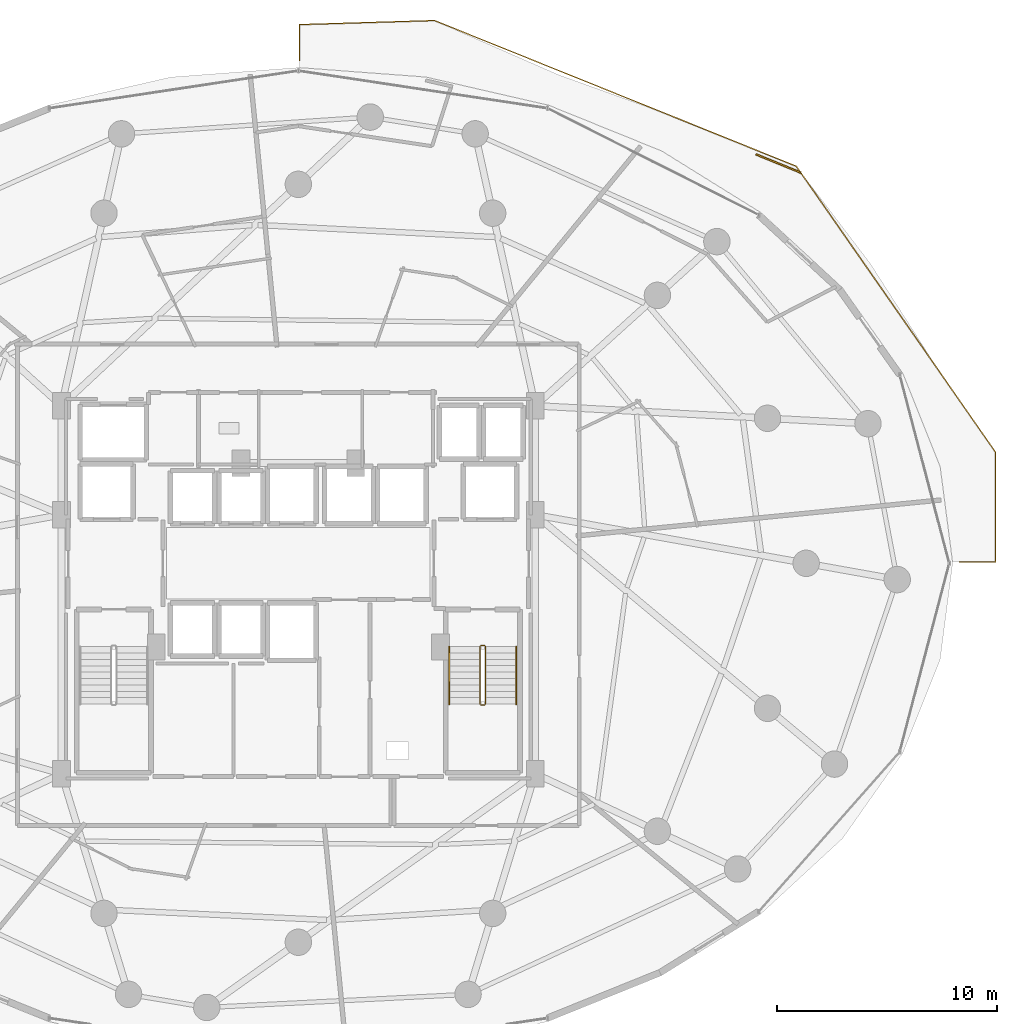
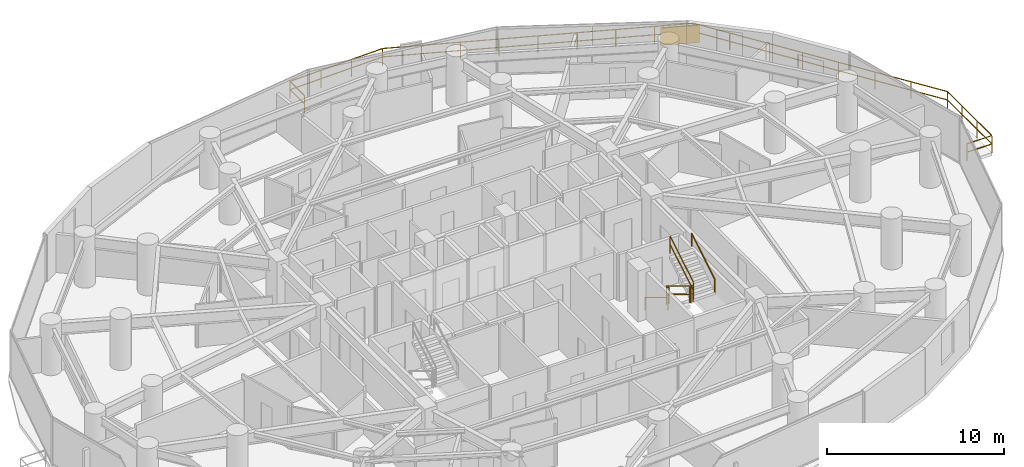
# One storey, part 29 of 30: 8 railings, 1 shading device.
"""IFC4 building model written with IfcOpenShell, lengths in metres."""

from ifc_helpers import new_model, si_unit, direction, frame, origin, origin_2d, place, context, subcontext, project, spatial, rectangle, extrude, material, type_object, element, save


model = new_model("IFC4")

# Units and contexts
model_context = context("Model", 3, precision=1e-05, world=origin(), true_north=direction((0.0, 1.0)))
body_context = subcontext(model_context, "Body", "Model", "MODEL_VIEW")
ifc_project = project(units=[si_unit("LENGTHUNIT", "METRE"), si_unit("AREAUNIT", "SQUARE_METRE"), si_unit("VOLUMEUNIT", "CUBIC_METRE"), si_unit("PLANEANGLEUNIT", "RADIAN"), si_unit("MASSUNIT", "GRAM", prefix="KILO")], contexts=[model_context])

# Site, building, storey
site_placement = place(None, origin())
site = spatial("IfcSite", under=ifc_project, at=site_placement, CompositionType="ELEMENT")
building_placement = place(site_placement, origin())
building = spatial("IfcBuilding", under=site, at=building_placement, Name="Vorneva Point Tower", CompositionType="ELEMENT")
storey_placement = place(building_placement, frame((0.0, 0.0, 55.5)))
storey = spatial("IfcBuildingStorey", under=building, at=storey_placement, Name="L14", CompositionType="ELEMENT", Elevation=55.5)

# Railings
ifc_material_1 = material(Name="Pale anodised aluminium", Category="aluminium")
railing_type_1 = type_object("IfcRailingType", Name="RL-BAL-1200", PredefinedType="BALUSTRADE", material=ifc_material_1)
railing_1_placement = place(storey_placement, frame((38.050048828125, 50.451416015625, 0.0)))
element("IfcRailing", 1, at=railing_1_placement, inside=storey, type_object=railing_type_1, Name="L14 Wave Balcony Balustrade NE.1", PredefinedType="BALUSTRADE", context=body_context, shape_type="SweptSolid", body=[
    extrude(rectangle(XDim=0.048095703125, YDim=0.048095703125, at=origin_2d()), frame((0.0, 0.0, 1.17578125), z_axis=(0.0, -1.0, 0.0), x_axis=(1.0, 0.0, 0.0)), (0.0, 0.0, 1.0), 1.63427734375),
    extrude(rectangle(XDim=0.048095703125, YDim=0.048095703125, at=origin_2d()), frame((0.0, 0.0, 0.60009765625), z_axis=(0.0, -1.0, 0.0), x_axis=(1.0, 0.0, 0.0)), (0.0, 0.0, 1.0), 1.63427734375),
    extrude(rectangle(XDim=0.0419921875, YDim=0.0419921875, at=origin_2d()), origin(), (0.0, 0.0, 1.0), 1.15185546875),
    extrude(rectangle(XDim=0.0419921875, YDim=0.0419921875, at=origin_2d()), frame((0.0, -1.63427734375, 0.0)), (0.0, 0.0, 1.0), 1.15185546875),
])
railing_2_placement = place(storey_placement, frame((68.01611328125, 26.050048828125, 0.0)))
element("IfcRailing", 2, at=railing_2_placement, inside=storey, type_object=railing_type_1, Name="L14 Wave Balcony Balustrade NE.2", PredefinedType="BALUSTRADE", context=body_context, shape_type="SweptSolid", body=[
    extrude(rectangle(XDim=0.048095703125, YDim=0.048095703125, at=origin_2d()), frame((0.0, 0.0, 1.17578125), z_axis=(1.0, 0.0, 0.0), x_axis=(0.0, 1.0, 0.0)), (0.0, 0.0, 1.0), 1.6337890625),
    extrude(rectangle(XDim=0.048095703125, YDim=0.048095703125, at=origin_2d()), frame((0.0, 0.0, 0.60009765625), z_axis=(1.0, 0.0, 0.0), x_axis=(0.0, 1.0, 0.0)), (0.0, 0.0, 1.0), 1.6337890625),
    extrude(rectangle(XDim=0.048095703125, YDim=0.048095703125, at=origin_2d()), frame((1.6337890625, 0.0, 1.17578125), z_axis=(-0.001806990603, 0.999998367391, 0.0), x_axis=(-0.999998367391, -0.001806990603, 0.0)), (0.0, 0.0, 1.0), 4.9990234375),
    extrude(rectangle(XDim=0.048095703125, YDim=0.048095703125, at=origin_2d()), frame((1.6337890625, 0.0, 0.60009765625), z_axis=(-0.001806990603, 0.999998367391, 0.0), x_axis=(-0.999998367391, -0.001806990603, 0.0)), (0.0, 0.0, 1.0), 4.9990234375),
    extrude(rectangle(XDim=0.048095703125, YDim=0.048095703125, at=origin_2d()), frame((1.624755859375, 4.9990234375, 1.17578125), z_axis=(-0.57169314474, 0.8204675181, 0.0), x_axis=(-0.8204675181, -0.57169314474, 0.0)), (0.0, 0.0, 1.0), 15.81201171875),
    extrude(rectangle(XDim=0.048095703125, YDim=0.048095703125, at=origin_2d()), frame((1.624755859375, 4.9990234375, 0.60009765625), z_axis=(-0.57169314474, 0.8204675181, 0.0), x_axis=(-0.8204675181, -0.57169314474, 0.0)), (0.0, 0.0, 1.0), 15.81201171875),
    extrude(rectangle(XDim=0.048095703125, YDim=0.048095703125, at=origin_2d()), frame((-7.414794921875, 17.97216796875, 1.17578125), z_axis=(-0.927593308703, 0.373591559929, 0.0), x_axis=(-0.373591559929, -0.927593308703, 0.0)), (0.0, 0.0, 1.0), 17.701904296875),
    extrude(rectangle(XDim=0.048095703125, YDim=0.048095703125, at=origin_2d()), frame((-7.414794921875, 17.97216796875, 0.60009765625), z_axis=(-0.927593308703, 0.373591559929, 0.0), x_axis=(-0.373591559929, -0.927593308703, 0.0)), (0.0, 0.0, 1.0), 17.701904296875),
    extrude(rectangle(XDim=0.048095703125, YDim=0.048095703125, at=origin_2d()), frame((-23.8349609375, 24.58544921875, 1.17578125), z_axis=(-0.999549575505, -0.030010766533, 0.0), x_axis=(0.030010766533, -0.999549575505, 0.0)), (0.0, 0.0, 1.0), 6.1337890625),
    extrude(rectangle(XDim=0.048095703125, YDim=0.048095703125, at=origin_2d()), frame((-23.8349609375, 24.58544921875, 0.60009765625), z_axis=(-0.999549575505, -0.030010766533, 0.0), x_axis=(0.030010766533, -0.999549575505, 0.0)), (0.0, 0.0, 1.0), 6.1337890625),
    extrude(rectangle(XDim=0.0419921875, YDim=0.0419921875, at=origin_2d()), origin(), (0.0, 0.0, 1.0), 1.15185546875),
    extrude(rectangle(XDim=0.0419921875, YDim=0.0419921875, at=origin_2d()), frame((1.6337890625, 0.0, 0.0)), (0.0, 0.0, 1.0), 1.15185546875),
    extrude(rectangle(XDim=0.0419921875, YDim=0.0419921875, at=origin_2d()), frame((1.630859375, 1.666259765625, 0.0)), (0.0, 0.0, 1.0), 1.15185546875),
    extrude(rectangle(XDim=0.0419921875, YDim=0.0419921875, at=origin_2d()), frame((1.627685546875, 3.332763671875, 0.0)), (0.0, 0.0, 1.0), 1.15185546875),
    extrude(rectangle(XDim=0.0419921875, YDim=0.0419921875, at=origin_2d()), frame((1.624755859375, 4.9990234375, 0.0)), (0.0, 0.0, 1.0), 1.15185546875),
    extrude(rectangle(XDim=0.0419921875, YDim=0.0419921875, at=origin_2d()), frame((0.33349609375, 6.852294921875, 0.0)), (0.0, 0.0, 1.0), 1.15185546875),
    extrude(rectangle(XDim=0.0419921875, YDim=0.0419921875, at=origin_2d()), frame((-0.9580078125, 8.70556640625, 0.0)), (0.0, 0.0, 1.0), 1.15185546875),
    extrude(rectangle(XDim=0.0419921875, YDim=0.0419921875, at=origin_2d()), frame((-2.249267578125, 10.558837890625, 0.0)), (0.0, 0.0, 1.0), 1.15185546875),
    extrude(rectangle(XDim=0.0419921875, YDim=0.0419921875, at=origin_2d()), frame((-3.540771484375, 12.412353515625, 0.0)), (0.0, 0.0, 1.0), 1.15185546875),
    extrude(rectangle(XDim=0.0419921875, YDim=0.0419921875, at=origin_2d()), frame((-4.83203125, 14.265625, 0.0)), (0.0, 0.0, 1.0), 1.15185546875),
    extrude(rectangle(XDim=0.0419921875, YDim=0.0419921875, at=origin_2d()), frame((-6.12353515625, 16.118896484375, 0.0)), (0.0, 0.0, 1.0), 1.15185546875),
    extrude(rectangle(XDim=0.0419921875, YDim=0.0419921875, at=origin_2d()), frame((-7.414794921875, 17.97216796875, 0.0)), (0.0, 0.0, 1.0), 1.15185546875),
    extrude(rectangle(XDim=0.0419921875, YDim=0.0419921875, at=origin_2d()), frame((-9.46728515625, 18.798828125, 0.0)), (0.0, 0.0, 1.0), 1.15185546875),
    extrude(rectangle(XDim=0.0419921875, YDim=0.0419921875, at=origin_2d()), frame((-11.519775390625, 19.62548828125, 0.0)), (0.0, 0.0, 1.0), 1.15185546875),
    extrude(rectangle(XDim=0.0419921875, YDim=0.0419921875, at=origin_2d()), frame((-13.572265625, 20.4521484375, 0.0)), (0.0, 0.0, 1.0), 1.15185546875),
    extrude(rectangle(XDim=0.0419921875, YDim=0.0419921875, at=origin_2d()), frame((-15.625, 21.27880859375, 0.0)), (0.0, 0.0, 1.0), 1.15185546875),
    extrude(rectangle(XDim=0.0419921875, YDim=0.0419921875, at=origin_2d()), frame((-17.677490234375, 22.10546875, 0.0)), (0.0, 0.0, 1.0), 1.15185546875),
    extrude(rectangle(XDim=0.0419921875, YDim=0.0419921875, at=origin_2d()), frame((-19.72998046875, 22.93212890625, 0.0)), (0.0, 0.0, 1.0), 1.15185546875),
    extrude(rectangle(XDim=0.0419921875, YDim=0.0419921875, at=origin_2d()), frame((-21.782470703125, 23.7587890625, 0.0)), (0.0, 0.0, 1.0), 1.15185546875),
    extrude(rectangle(XDim=0.0419921875, YDim=0.0419921875, at=origin_2d()), frame((-23.8349609375, 24.58544921875, 0.0)), (0.0, 0.0, 1.0), 1.15185546875),
    extrude(rectangle(XDim=0.0419921875, YDim=0.0419921875, at=origin_2d()), frame((-25.878662109375, 24.524169921875, 0.0)), (0.0, 0.0, 1.0), 1.15185546875),
    extrude(rectangle(XDim=0.0419921875, YDim=0.0419921875, at=origin_2d()), frame((-27.92236328125, 24.462646484375, 0.0)), (0.0, 0.0, 1.0), 1.15185546875),
    extrude(rectangle(XDim=0.0419921875, YDim=0.0419921875, at=origin_2d()), frame((-29.966064453125, 24.4013671875, 0.0)), (0.0, 0.0, 1.0), 1.15185546875),
])
ifc_material_2 = material(Name="Brushed stainless steel S304", Category="steel")
railing_type_2 = type_object("IfcRailingType", Name="RL-HND-920", PredefinedType="HANDRAIL", material=ifc_material_2)
railing_3_placement = place(storey_placement, frame((44.85009765625, 22.219970703125, 0.175048828125)))
element("IfcRailing", 3, at=railing_3_placement, inside=storey, type_object=railing_type_2, Name="L14 ST2 stair handrail 1", PredefinedType="HANDRAIL", context=body_context, shape_type="SweptSolid", body=[
    extrude(rectangle(XDim=0.048095703125, YDim=0.048095703125, at=origin_2d()), frame((0.0, 0.0, 0.8759765625), z_axis=(0.0, -0.85618277418, 0.516673066065), x_axis=(1.0, 0.0, 0.0)), (0.0, 0.0, 1.0), 3.04833984375),
    extrude(rectangle(XDim=0.0419921875, YDim=0.0419921875, at=origin_2d()), origin(), (0.0, 0.0, 1.0), 0.851806640625),
    extrude(rectangle(XDim=0.0419921875, YDim=0.0419921875, at=origin_2d()), frame((0.0, -2.60986328125, 1.574951171875)), (0.0, 0.0, 1.0), 0.851806640625),
])
railing_4_placement = place(storey_placement, frame((47.89990234375, 19.610107421875, 1.925048828125)))
element("IfcRailing", 4, at=railing_4_placement, inside=storey, type_object=railing_type_2, Name="L14 ST2 stair handrail 2", PredefinedType="HANDRAIL", context=body_context, shape_type="SweptSolid", body=[
    extrude(rectangle(XDim=0.048095703125, YDim=0.048095703125, at=origin_2d()), frame((0.0, 0.0, 0.8759765625), z_axis=(0.0, 0.85618277418, 0.516673066065), x_axis=(-1.0, 0.0, 0.0)), (0.0, 0.0, 1.0), 3.04833984375),
    extrude(rectangle(XDim=0.0419921875, YDim=0.0419921875, at=origin_2d()), origin(), (0.0, 0.0, 1.0), 0.851806640625),
    extrude(rectangle(XDim=0.0419921875, YDim=0.0419921875, at=origin_2d()), frame((0.0, 2.60986328125, 1.574951171875)), (0.0, 0.0, 1.0), 0.851806640625),
])
railing_type_3 = type_object("IfcRailingType", Name="RL-STG-1100", PredefinedType="GUARDRAIL", material=ifc_material_2)
railing_5_placement = place(storey_placement, frame((46.25, 22.219970703125, 0.175048828125)))
element("IfcRailing", 5, at=railing_5_placement, inside=storey, type_object=railing_type_3, Name="L14 ST2 stair guard 1", PredefinedType="GUARDRAIL", context=body_context, shape_type="SweptSolid", body=[
    extrude(rectangle(XDim=0.048095703125, YDim=0.048095703125, at=origin_2d()), frame((0.0, 0.0, 1.17578125), z_axis=(0.0, -0.85618277418, 0.516673066065), x_axis=(1.0, 0.0, 0.0)), (0.0, 0.0, 1.0), 3.04833984375),
    extrude(rectangle(XDim=0.048095703125, YDim=0.048095703125, at=origin_2d()), frame((0.0, 0.0, 0.60009765625), z_axis=(0.0, -0.85618277418, 0.516673066065), x_axis=(1.0, 0.0, 0.0)), (0.0, 0.0, 1.0), 3.04833984375),
    extrude(rectangle(XDim=0.0419921875, YDim=0.0419921875, at=origin_2d()), origin(), (0.0, 0.0, 1.0), 1.15185546875),
    extrude(rectangle(XDim=0.0419921875, YDim=0.0419921875, at=origin_2d()), frame((0.0, -2.60986328125, 1.574951171875)), (0.0, 0.0, 1.0), 1.15185546875),
])
railing_6_placement = place(storey_placement, frame((46.300048828125, 19.56005859375, 1.75)))
element("IfcRailing", 6, at=railing_6_placement, inside=storey, type_object=railing_type_3, Name="L14 ST2 stair guard 2", PredefinedType="GUARDRAIL", context=body_context, shape_type="SweptSolid", body=[
    extrude(rectangle(XDim=0.048095703125, YDim=0.048095703125, at=origin_2d()), frame((0.0, 0.0, 1.17578125), z_axis=(1.0, 0.0, 0.0), x_axis=(0.0, 1.0, 0.0)), (0.0, 0.0, 1.0), 0.14990234375),
    extrude(rectangle(XDim=0.048095703125, YDim=0.048095703125, at=origin_2d()), frame((0.0, 0.0, 0.60009765625), z_axis=(1.0, 0.0, 0.0), x_axis=(0.0, 1.0, 0.0)), (0.0, 0.0, 1.0), 0.14990234375),
    extrude(rectangle(XDim=0.0419921875, YDim=0.0419921875, at=origin_2d()), origin(), (0.0, 0.0, 1.0), 1.15185546875),
    extrude(rectangle(XDim=0.0419921875, YDim=0.0419921875, at=origin_2d()), frame((0.14990234375, 0.0, 0.0)), (0.0, 0.0, 1.0), 1.15185546875),
])
railing_7_placement = place(storey_placement, frame((46.5, 19.610107421875, 1.925048828125)))
element("IfcRailing", 7, at=railing_7_placement, inside=storey, type_object=railing_type_3, Name="L14 ST2 stair guard 3", PredefinedType="GUARDRAIL", context=body_context, shape_type="SweptSolid", body=[
    extrude(rectangle(XDim=0.048095703125, YDim=0.048095703125, at=origin_2d()), frame((0.0, 0.0, 1.17578125), z_axis=(0.0, 0.85618277418, 0.516673066065), x_axis=(-1.0, 0.0, 0.0)), (0.0, 0.0, 1.0), 3.04833984375),
    extrude(rectangle(XDim=0.048095703125, YDim=0.048095703125, at=origin_2d()), frame((0.0, 0.0, 0.60009765625), z_axis=(0.0, 0.85618277418, 0.516673066065), x_axis=(-1.0, 0.0, 0.0)), (0.0, 0.0, 1.0), 3.04833984375),
    extrude(rectangle(XDim=0.0419921875, YDim=0.0419921875, at=origin_2d()), origin(), (0.0, 0.0, 1.0), 1.15185546875),
    extrude(rectangle(XDim=0.0419921875, YDim=0.0419921875, at=origin_2d()), frame((0.0, 2.60986328125, 1.574951171875)), (0.0, 0.0, 1.0), 1.15185546875),
])
railing_8_placement = place(storey_placement, frame((46.300048828125, 22.27001953125, 0.0)))
element("IfcRailing", 8, at=railing_8_placement, inside=storey, type_object=railing_type_3, Name="L14 ST2 stair guard 4", PredefinedType="GUARDRAIL", context=body_context, shape_type="SweptSolid", body=[
    extrude(rectangle(XDim=0.048095703125, YDim=0.048095703125, at=origin_2d()), frame((0.0, 0.0, 1.17578125), z_axis=(1.0, 0.0, 0.0), x_axis=(0.0, 1.0, 0.0)), (0.0, 0.0, 1.0), 0.14990234375),
    extrude(rectangle(XDim=0.048095703125, YDim=0.048095703125, at=origin_2d()), frame((0.0, 0.0, 0.60009765625), z_axis=(1.0, 0.0, 0.0), x_axis=(0.0, 1.0, 0.0)), (0.0, 0.0, 1.0), 0.14990234375),
    extrude(rectangle(XDim=0.0419921875, YDim=0.0419921875, at=origin_2d()), origin(), (0.0, 0.0, 1.0), 1.15185546875),
    extrude(rectangle(XDim=0.0419921875, YDim=0.0419921875, at=origin_2d()), frame((0.14990234375, 0.0, 0.0)), (0.0, 0.0, 1.0), 1.15185546875),
])

# Shading device
shading_device_type = type_object("IfcShadingDeviceType", Name="SHD-JAL-1200", PredefinedType="JALOUSIE", material=ifc_material_1)
shading_device_placement = place(storey_placement, frame((59.78955078125, 44.14453125, -0.02001953125), z_axis=(0.0, 0.0, 1.0), x_axis=(-0.925447955078, 0.378874758255, 0.0)))
element("IfcShadingDevice", 9, at=shading_device_placement, inside=storey, type_object=shading_device_type, Name="L14 Balcony Vertical-Greenery Planter Screen NE.2", PredefinedType="JALOUSIE", context=body_context, shape_type="SweptSolid", body=[
    extrude(rectangle(XDim=2.199951171875, YDim=0.080078125, at=origin_2d()), origin(), (0.0, 0.0, 1.0), 1.199951171875),
])

save(model, "model.ifc")
